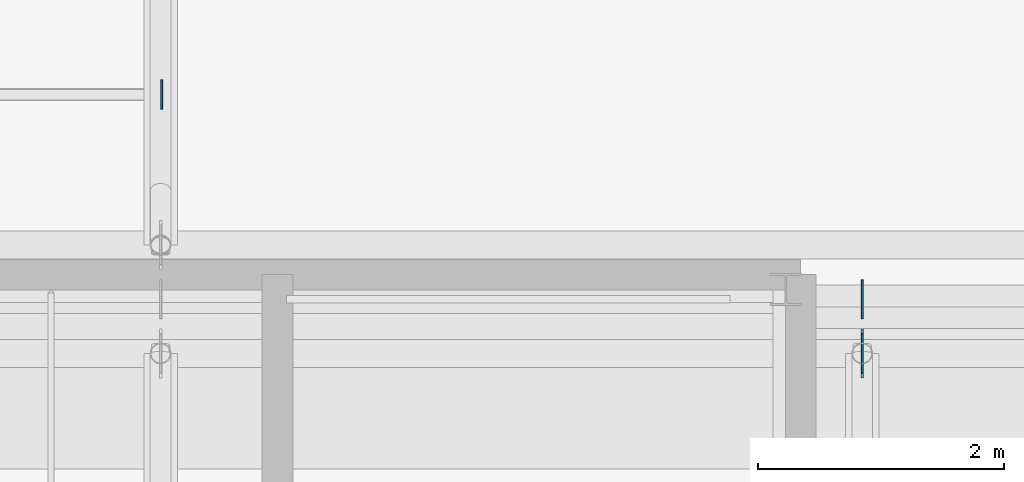
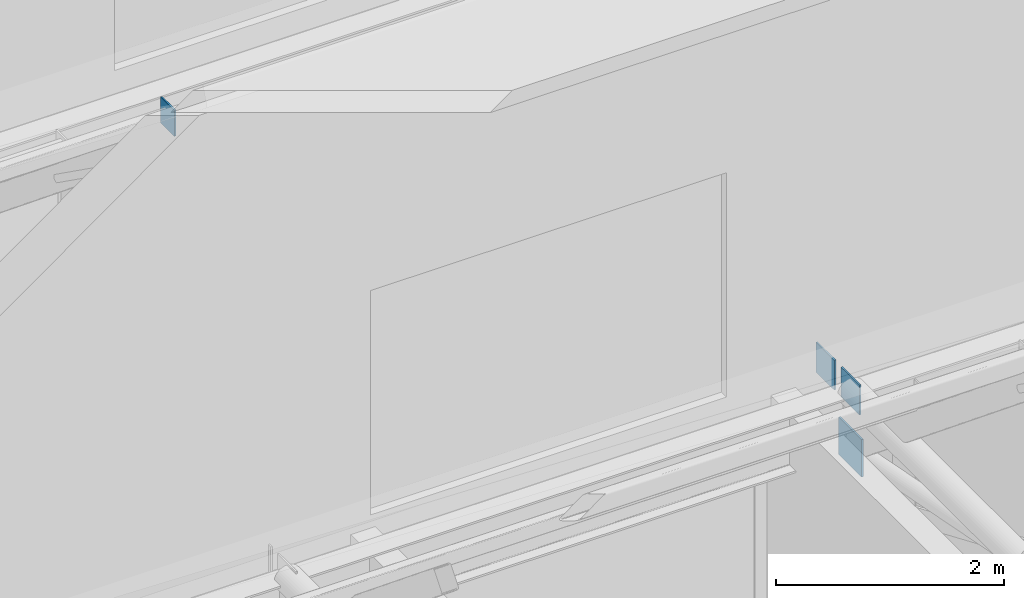
# One storey, part 48 of 55: 4 plates.
"""IFC4 building model written with IfcOpenShell, lengths in metres."""

from ifc_helpers import new_model, si_unit, direction, frame, origin, origin_2d, place, context, subcontext, project, spatial, rectangle, extrude, material, layer, layer_set, type_object, element, save


model = new_model("IFC4")

# Units and contexts
model_context = context("Model", 3, precision=1e-05, world=origin(), true_north=direction((0.0, 1.0)))
body_context = subcontext(model_context, "Body", "Model", "MODEL_VIEW")
ifc_project = project(units=[si_unit("LENGTHUNIT", "METRE"), si_unit("AREAUNIT", "SQUARE_METRE"), si_unit("VOLUMEUNIT", "CUBIC_METRE"), si_unit("PLANEANGLEUNIT", "RADIAN"), si_unit("MASSUNIT", "GRAM", prefix="KILO")], contexts=[model_context])

# Site, building, storey
site_placement = place(None, origin())
site = spatial("IfcSite", under=ifc_project, at=site_placement, CompositionType="ELEMENT")
building_placement = place(site_placement, origin())
building = spatial("IfcBuilding", under=site, at=building_placement, Name="Tameran Prism Museum", CompositionType="ELEMENT")
storey_placement = place(building_placement, frame((0.0, 0.0, 28.800048828125)))
storey = spatial("IfcBuildingStorey", under=building, at=storey_placement, Name="L05", CompositionType="ELEMENT", Elevation=28.800048828125)

# Plates
ifc_material_1 = material(Name="Steel Grade 350 (350 MPa)", Category="steel")
ifc_layer_1 = layer(ifc_material_1, 0.01611328125)
ifc_layer_set_1 = layer_set([ifc_layer_1])
plate_type_1 = type_object("IfcPlateType", Name="PL-CAP-16", PredefinedType="USERDEFINED", material=ifc_layer_set_1)
for number, where, z_axis, x_axis, name in (
    (1, (136.10009765625, 86.06005859375, 6.22607421875), (0.0, 0.0, 1.0), (1.0, 0.0, 0.0), "Truss Node Gusset Plate GP-0061"),
    (2, (136.10009765625, 86.5, 6.22607421875), (0.0, 0.0, 1.0), (1.0, 0.0, 0.0), "Truss Node Gusset Plate GP-0062"),
):
    element("IfcPlate", number, at=place(storey_placement, frame(where, z_axis=z_axis, x_axis=x_axis)), inside=storey, type_object=plate_type_1, Name=name, ObjectType="GUSSET PLATE", PredefinedType="USERDEFINED", context=body_context, shape_type="SweptSolid", body=[
        extrude(rectangle(XDim=0.01611328125, YDim=0.320068359375, at=origin_2d()), origin(), (0.0, 0.0, 1.0), 0.320068359375),
    ])
plate_1_placement = place(storey_placement, frame((130.407958984375, 88.1640625, 9.89892578125), z_axis=(0.0, 0.0, 1.0), x_axis=(1.0, 0.0, 0.0)))
element("IfcPlate", 3, at=plate_1_placement, inside=storey, type_object=plate_type_1, Name="Purlin End Cap Plate PR-013 E", ObjectType="GUSSET PLATE", PredefinedType="USERDEFINED", context=body_context, shape_type="SweptSolid", body=[
    extrude(rectangle(XDim=0.01611328125, YDim=0.239990234375, at=origin_2d()), origin(), (0.0, 0.0, 1.0), 0.280029296875),
])
ifc_material_2 = material(Name="Steel Grade 350 (350 MPa)", Category="steel")
ifc_layer_2 = layer(ifc_material_2, 0.02001953125)
ifc_layer_set_2 = layer_set([ifc_layer_2])
plate_type_2 = type_object("IfcPlateType", Name="PL-GUS-20", PredefinedType="USERDEFINED", material=ifc_layer_set_2)
plate_2_placement = place(storey_placement, frame((136.10009765625, 86.06005859375, 5.587890625), z_axis=(0.0, 0.0, 1.0), x_axis=(1.0, 0.0, 0.0)))
element("IfcPlate", 4, at=plate_2_placement, inside=storey, type_object=plate_type_2, Name="Truss Node Gusset Plate GP-0059", ObjectType="GUSSET PLATE", PredefinedType="USERDEFINED", context=body_context, shape_type="SweptSolid", body=[
    extrude(rectangle(XDim=0.02001953125, YDim=0.39990234375, at=origin_2d()), origin(), (0.0, 0.0, 1.0), 0.39990234375),
])

save(model, "model.ifc")
